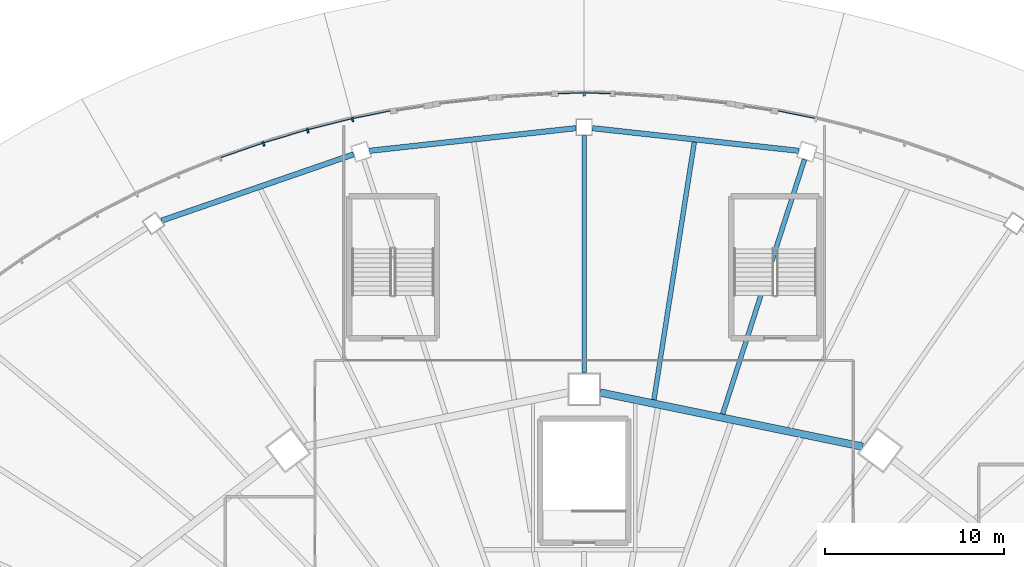
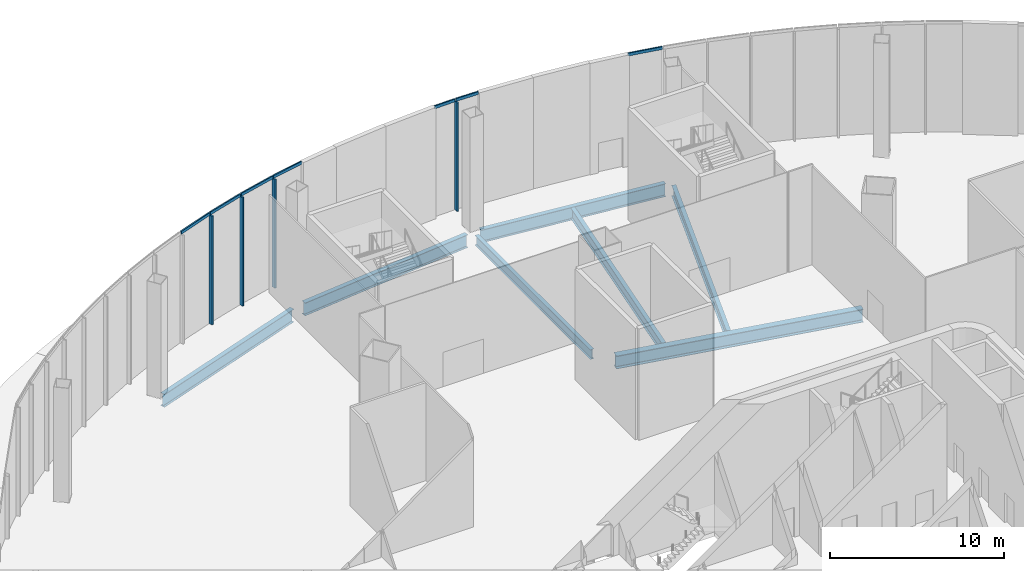
# One storey, part 9 of 36: 11 members, 7 beams, 5 elements without a shape of their own.
"""IFC4 building model written with IfcOpenShell, lengths in metres."""

from ifc_helpers import new_model, si_unit, direction, frame, origin, origin_2d, place, context, subcontext, project, spatial, rectangle, i_section, extrude, material, layer, layer_set, material_profile, profile_set, type_object, element, aggregate, save


model = new_model("IFC4")

# Units and contexts
model_context = context("Model", 3, precision=1e-05, world=origin(), true_north=direction((0.0, 1.0)))
body_context = subcontext(model_context, "Body", "Model", "MODEL_VIEW")
ifc_project = project(units=[si_unit("LENGTHUNIT", "METRE"), si_unit("AREAUNIT", "SQUARE_METRE"), si_unit("VOLUMEUNIT", "CUBIC_METRE"), si_unit("PLANEANGLEUNIT", "RADIAN"), si_unit("MASSUNIT", "GRAM", prefix="KILO")], contexts=[model_context])

# Site, building, storey
site_placement = place(None, origin())
site = spatial("IfcSite", under=ifc_project, at=site_placement, CompositionType="ELEMENT")
building_placement = place(site_placement, origin())
building = spatial("IfcBuilding", under=site, at=building_placement, Name="Sahrelin Media Tower", CompositionType="ELEMENT")
storey_placement = place(building_placement, origin())
storey = spatial("IfcBuildingStorey", under=building, at=storey_placement, Name="L00", CompositionType="ELEMENT", Elevation=0.0)

# Curtain wall, members
ifc_material_1 = material(Name="Champagne anodised aluminium 6063-T6", Category="aluminium")
ifc_layer_1 = layer(ifc_material_1, 0.14990234375)
ifc_layer_set_1 = layer_set([ifc_layer_1], Name="Concourse curtain wall")
curtain_wall_type_1 = type_object("IfcCurtainWallType", Name="Concourse curtain wall", PredefinedType="NOTDEFINED", material=ifc_layer_set_1)
curtain_wall_1_placement = place(storey_placement, frame((-12.94091796875, 40.56884765625, 0.0), z_axis=(0.0, 0.0, 1.0), x_axis=(1.0, 0.0, 0.0)))
curtain_wall_1 = element("IfcCurtainWall", 1, at=curtain_wall_1_placement, inside=storey, type_object=curtain_wall_type_1, Name="L00:CW:L00-P07", PredefinedType="NOTDEFINED")
ifc_material_profile_1 = material_profile(ifc_material_1, rectangle(XDim=0.10009765625, YDim=0.25, at=origin_2d()), Name="Mullion 100x250")
ifc_profile_set_1 = profile_set([ifc_material_profile_1], Name="Champagne anodised aluminium 6063-T6")
member_type_1 = type_object("IfcMemberType", Name="Mullion 100x250 CW4", PredefinedType="MULLION", material=ifc_profile_set_1)
member_1_placement = place(storey_placement, frame((-12.906005859375, 40.42822265625, 0.0), z_axis=(0.0, 0.0, 1.0), x_axis=(-0.970410464409, -0.241461240296, 0.0)))
member_1 = element("IfcMember", 2, at=member_1_placement, type_object=member_type_1, Name="L00:CWM1:L00-P07", PredefinedType="MULLION", context=body_context, shape_type="SweptSolid", body=[
    extrude(rectangle(XDim=0.10009765625, YDim=0.25, at=origin_2d()), origin(), (0.0, 0.0, 1.0), 7.60009765625),
])
member_2_placement = place(storey_placement, frame((-15.409423828125, 39.805419921875, 0.0), z_axis=(0.0, 0.0, 1.0), x_axis=(-0.958494922328, -0.285109599754, 0.0)))
member_2 = element("IfcMember", 3, at=member_2_placement, type_object=member_type_1, Name="L00:CWM2:L00-P07", PredefinedType="MULLION", context=body_context, shape_type="SweptSolid", body=[
    extrude(rectangle(XDim=0.10009765625, YDim=0.25, at=origin_2d()), origin(), (0.0, 0.0, 1.0), 7.60009765625),
])
member_3_placement = place(storey_placement, frame((-17.87060546875, 39.073486328125, 0.0), z_axis=(0.0, 0.0, 1.0), x_axis=(-0.944458420046, -0.328630937077, 0.0)))
member_3 = element("IfcMember", 4, at=member_3_placement, type_object=member_type_1, Name="L00:CWM3:L00-P07", PredefinedType="MULLION", context=body_context, shape_type="SweptSolid", body=[
    extrude(rectangle(XDim=0.10009765625, YDim=0.25, at=origin_2d()), origin(), (0.0, 0.0, 1.0), 7.60009765625),
])

# Curtain wall, member
ifc_layer_2 = layer(ifc_material_1, 0.14990234375)
ifc_layer_set_2 = layer_set([ifc_layer_2], Name="Entrance bay curtain wall")
curtain_wall_type_2 = type_object("IfcCurtainWallType", Name="Entrance bay curtain wall", PredefinedType="NOTDEFINED", material=ifc_layer_set_2)
curtain_wall_2_placement = place(storey_placement, frame((0.0, 42.0, 0.0), z_axis=(0.0, 0.0, 1.0), x_axis=(1.0, 0.0, 0.0)))
curtain_wall_2 = element("IfcCurtainWall", 5, at=curtain_wall_2_placement, inside=storey, type_object=curtain_wall_type_2, Name="L00:CW:L00-P06", PredefinedType="NOTDEFINED")
ifc_material_profile_2 = material_profile(ifc_material_1, rectangle(XDim=0.1201171875, YDim=0.25, at=origin_2d()), Name="Mullion 120x250")
ifc_profile_set_2 = profile_set([ifc_material_profile_2], Name="Champagne anodised aluminium 6063-T6")
member_type_2 = type_object("IfcMemberType", Name="Mullion 120x250 CW6", PredefinedType="MULLION", material=ifc_profile_set_2)
member_4_placement = place(storey_placement, frame((0.003173828125, 41.85498046875, 0.0), z_axis=(0.0, 0.0, 1.0), x_axis=(-0.999757820498, -0.022006825162, 0.0)))
member_4 = element("IfcMember", 6, at=member_4_placement, type_object=member_type_2, Name="L00:CWM1:L00-P06", PredefinedType="MULLION", context=body_context, shape_type="SweptSolid", body=[
    extrude(rectangle(XDim=0.1201171875, YDim=0.25, at=origin_2d()), origin(), (0.0, 0.0, 1.0), 7.60009765625),
])

# Beams
ifc_material_2 = material(Name="Steel S355", Category="steel")
ifc_material_profile_3 = material_profile(ifc_material_2, i_section(OverallWidth=0.30322265625, OverallDepth=0.903076171875, WebThickness=0.01513671875, FlangeThickness=0.020263671875, FilletRadius=0.01904296875, at=origin_2d()), Name="UB 914x305x201")
ifc_profile_set_3 = profile_set([ifc_material_profile_3], Name="Steel S355")
beam_type_1 = type_object("IfcBeamType", Name="Podium edge girder PE11", PredefinedType="BEAM", material=ifc_profile_set_3)
for number, where, z_axis, x_axis, name in (
    (7, (11.966796875, 38.68701171875, -0.75146484375), (-0.994034160473, 0.109069188193, 0.0), (-0.109069188193, -0.994034160473, 0.0), "Podium edge girder L00-06"),
    (8, (-0.449951171875, 39.95068359375, -0.75146484375), (-0.994034160473, -0.109069188193, 0.0), (0.109069188193, -0.994034160473, 0.0), "Podium edge girder L00-07"),
):
    element("IfcBeam", number, at=place(storey_placement, frame(where, z_axis=z_axis, x_axis=x_axis)), inside=storey, type_object=beam_type_1, Name=name, PredefinedType="BEAM", context=body_context, shape_type="SweptSolid", body=[
        extrude(i_section(OverallWidth=0.30322265625, OverallDepth=0.903076171875, WebThickness=0.01513671875, FlangeThickness=0.020263671875, FilletRadius=0.01904296875, at=origin_2d()), origin(), (0.0, 0.0, 1.0), 11.5859375),
    ])
beam_1_placement = place(storey_placement, frame((-12.848876953125, 38.489990234375, -0.75146484375), z_axis=(-0.94527240249, -0.32628221694, 0.0), x_axis=(0.32628221694, -0.94527240249, 0.0)))
element("IfcBeam", 9, at=beam_1_placement, inside=storey, type_object=beam_type_1, Name="Podium edge girder L00-08", PredefinedType="BEAM", context=body_context, shape_type="SweptSolid", body=[
    extrude(i_section(OverallWidth=0.30322265625, OverallDepth=0.903076171875, WebThickness=0.01513671875, FlangeThickness=0.020263671875, FilletRadius=0.01904296875, at=origin_2d()), origin(), (0.0, 0.0, 1.0), 11.329345703125),
])
ifc_material_profile_4 = material_profile(ifc_material_2, i_section(OverallWidth=0.41845703125, OverallDepth=0.911865234375, WebThickness=0.019287109375, FlangeThickness=0.031982421875, FilletRadius=0.024169921875, at=origin_2d()), Name="UB 914x419x343")
ifc_profile_set_4 = profile_set([ifc_material_profile_4], Name="Steel S355")
beam_type_2 = type_object("IfcBeamType", Name="Podium ring girder PG12", PredefinedType="BEAM", material=ifc_profile_set_4)
beam_2_placement = place(storey_placement, frame((15.525634765625, 22.197998046875, -0.755859375), z_axis=(-0.979388513106, 0.201985495508, 0.0), x_axis=(-0.201985495508, -0.979388513106, 0.0)))
element("IfcBeam", 10, at=beam_2_placement, inside=storey, type_object=beam_type_2, Name="Podium girder L00-03", PredefinedType="BEAM", context=body_context, shape_type="SweptSolid", body=[
    extrude(i_section(OverallWidth=0.41845703125, OverallDepth=0.911865234375, WebThickness=0.019287109375, FlangeThickness=0.031982421875, FilletRadius=0.024169921875, at=origin_2d()), origin(), (0.0, 0.0, 1.0), 14.93359375),
])
ifc_material_profile_5 = material_profile(ifc_material_2, i_section(OverallWidth=0.2529296875, OverallDepth=0.677978515625, WebThickness=0.01171875, FlangeThickness=0.01611328125, FilletRadius=0.01513671875, at=origin_2d()), Name="UB 686x254x125")
ifc_profile_set_5 = profile_set([ifc_material_profile_5], Name="Steel S355")
beam_type_3 = type_object("IfcBeamType", Name="Radial primary beam PB8", PredefinedType="BEAM", material=ifc_profile_set_5)
beam_3_placement = place(storey_placement, frame((0.0, 26.300048828125, -0.638916015625), z_axis=(0.0, 1.0, 0.0), x_axis=(-1.0, 0.0, 0.0)))
element("IfcBeam", 11, at=beam_3_placement, inside=storey, type_object=beam_type_3, Name="Radial beam L00-07", PredefinedType="BEAM", context=body_context, shape_type="SweptSolid", body=[
    extrude(i_section(OverallWidth=0.2529296875, OverallDepth=0.677978515625, WebThickness=0.01171875, FlangeThickness=0.01611328125, FilletRadius=0.01513671875, at=origin_2d()), origin(), (0.0, 0.0, 1.0), 13.25),
])
ifc_material_profile_6 = material_profile(ifc_material_2, i_section(OverallWidth=0.26513671875, OverallDepth=0.75390625, WebThickness=0.0126953125, FlangeThickness=0.017578125, FilletRadius=0.0166015625, at=origin_2d()), Name="UB 762x267x147")
ifc_profile_set_6 = profile_set([ifc_material_profile_6], Name="Steel S355")
beam_type_4 = type_object("IfcBeamType", Name="Radial primary beam PB9", PredefinedType="BEAM", material=ifc_profile_set_6)
beam_4_placement = place(storey_placement, frame((7.7236328125, 24.020751953125, -0.677001953125), z_axis=(0.306110461813, 0.951996000606, 0.0), x_axis=(-0.951996000606, 0.306110461813, 0.0)))
element("IfcBeam", 12, at=beam_4_placement, inside=storey, type_object=beam_type_4, Name="Radial beam L00-06", PredefinedType="BEAM", context=body_context, shape_type="SweptSolid", body=[
    extrude(i_section(OverallWidth=0.26513671875, OverallDepth=0.75390625, WebThickness=0.0126953125, FlangeThickness=0.017578125, FilletRadius=0.0166015625, at=origin_2d()), origin(), (0.0, 0.0, 1.0), 14.903076171875),
])
ifc_material_profile_7 = material_profile(ifc_material_2, i_section(OverallWidth=0.26513671875, OverallDepth=0.75390625, WebThickness=0.0126953125, FlangeThickness=0.017578125, FilletRadius=0.0166015625, at=origin_2d()), Name="UB 762x267x147")
ifc_profile_set_7 = profile_set([ifc_material_profile_7], Name="Steel S355")
beam_type_5 = type_object("IfcBeamType", Name="Radial secondary beam SB9", PredefinedType="BEAM", material=ifc_profile_set_7)
beam_5_placement = place(storey_placement, frame((3.890869140625, 24.811279296875, -0.677001953125), z_axis=(0.154919883605, 0.987927036609, 0.0), x_axis=(-0.987927036609, 0.154919883605, 0.0)))
element("IfcBeam", 13, at=beam_5_placement, inside=storey, type_object=beam_type_5, Name="Secondary beam L00-06", PredefinedType="BEAM", context=body_context, shape_type="SweptSolid", body=[
    extrude(i_section(OverallWidth=0.26513671875, OverallDepth=0.75390625, WebThickness=0.0126953125, FlangeThickness=0.017578125, FilletRadius=0.0166015625, at=origin_2d()), origin(), (0.0, 0.0, 1.0), 14.537841796875),
])

# Member
ifc_material_profile_8 = material_profile(ifc_material_1, rectangle(XDim=0.080078125, YDim=0.199951171875, at=origin_2d()), Name="Transom 80x200")
ifc_profile_set_8 = profile_set([ifc_material_profile_8], Name="Champagne anodised aluminium 6063-T6")
member_type_3 = type_object("IfcMemberType", Name="Transom 80x200 CW4", PredefinedType="USERDEFINED", material=ifc_profile_set_8)
member_5_placement = place(storey_placement, frame((-12.984619140625, 40.49609375, 7.699951171875), z_axis=(-0.970426059663, -0.24139855577, 0.0), x_axis=(0.24139855577, -0.970426059663, 0.0)))
member_5 = element("IfcMember", 14, at=member_5_placement, type_object=member_type_3, Name="L00:CWT1a:L00-P07", ObjectType="TRANSOM", PredefinedType="USERDEFINED", context=body_context, shape_type="SweptSolid", body=[
    extrude(rectangle(XDim=0.080078125, YDim=0.199951171875, at=origin_2d()), origin(), (0.0, 0.0, 1.0), 2.5263671875),
])

member_6_placement = place(storey_placement, frame((-15.4912109375, 39.869873046875, 7.699951171875), z_axis=(-0.958481146373, -0.285155908316, 0.0), x_axis=(0.285155908316, -0.958481146373, 0.0)))
member_6 = element("IfcMember", 15, at=member_6_placement, type_object=member_type_3, Name="L00:CWT2a:L00-P07", ObjectType="TRANSOM", PredefinedType="USERDEFINED", context=body_context, shape_type="SweptSolid", body=[
    extrude(rectangle(XDim=0.080078125, YDim=0.199951171875, at=origin_2d()), origin(), (0.0, 0.0, 1.0), 2.5146484375),
])

member_7_placement = place(storey_placement, frame((-17.955322265625, 39.134033203125, 7.699951171875), z_axis=(-0.944462547353, -0.328619075294, 0.0), x_axis=(0.328619075294, -0.944462547353, 0.0)))
member_7 = element("IfcMember", 16, at=member_7_placement, type_object=member_type_3, Name="L00:CWT3a:L00-P07", ObjectType="TRANSOM", PredefinedType="USERDEFINED", context=body_context, shape_type="SweptSolid", body=[
    extrude(rectangle(XDim=0.080078125, YDim=0.199951171875, at=origin_2d()), origin(), (0.0, 0.0, 1.0), 2.500732421875),
])

aggregate(curtain_wall_1, [member_1, member_5, member_2, member_6, member_3, member_7])

# Curtain wall, member
curtain_wall_3_placement = place(storey_placement, frame((12.94091796875, 40.56884765625, 0.0), z_axis=(0.0, 0.0, 1.0), x_axis=(1.0, 0.0, 0.0)))
curtain_wall_3 = element("IfcCurtainWall", 17, at=curtain_wall_3_placement, inside=storey, type_object=curtain_wall_type_2, Name="L00:CW:L00-P05", PredefinedType="NOTDEFINED")
ifc_material_profile_9 = material_profile(ifc_material_1, rectangle(XDim=0.080078125, YDim=0.199951171875, at=origin_2d()), Name="Transom 80x200")
ifc_profile_set_9 = profile_set([ifc_material_profile_9], Name="Champagne anodised aluminium 6063-T6")
member_type_4 = type_object("IfcMemberType", Name="Transom 80x200 CW6", PredefinedType="USERDEFINED", material=ifc_profile_set_9)
member_8_placement = place(storey_placement, frame((12.860595703125, 40.52392578125, 7.699951171875), z_axis=(-0.980272877206, 0.197648896313, 0.0), x_axis=(-0.197648896313, -0.980272877206, 0.0)))
member_8 = element("IfcMember", 18, at=member_8_placement, type_object=member_type_4, Name="L00:CWT1a:L00-P05", ObjectType="TRANSOM", PredefinedType="USERDEFINED", context=body_context, shape_type="SweptSolid", body=[
    extrude(rectangle(XDim=0.080078125, YDim=0.199951171875, at=origin_2d()), origin(), (0.0, 0.0, 1.0), 2.08251953125),
])
aggregate(curtain_wall_3, [member_8])

curtain_wall_4_placement = place(storey_placement, frame((1.450927734375, 41.968017578125, 0.0), z_axis=(0.0, 0.0, 1.0), x_axis=(1.0, 0.0, 0.0)))
curtain_wall_4 = element("IfcCurtainWall", 19, at=curtain_wall_4_placement, inside=storey, type_object=curtain_wall_type_2, Name="L00:CW2:L00-P05", PredefinedType="NOTDEFINED")
member_9_placement = place(storey_placement, frame((1.44970703125, 41.908203125, 7.699951171875), z_axis=(-0.999760839514, 0.021869242661, 0.0), x_axis=(-0.021869242661, -0.999760839514, 0.0)))
member_9 = element("IfcMember", 20, at=member_9_placement, type_object=member_type_4, Name="L00:CWT5a:L00-P05", ObjectType="TRANSOM", PredefinedType="USERDEFINED", context=body_context, shape_type="SweptSolid", body=[
    extrude(rectangle(XDim=0.080078125, YDim=0.199951171875, at=origin_2d()), origin(), (0.0, 0.0, 1.0), 1.451171875),
])
aggregate(curtain_wall_4, [member_9])

# Member
member_10_placement = place(storey_placement, frame((-0.068603515625, 41.9384765625, 7.699951171875), z_axis=(-0.999759848916, -0.021914481397, 0.0), x_axis=(0.021914481397, -0.999759848916, 0.0)))
member_10 = element("IfcMember", 21, at=member_10_placement, type_object=member_type_4, Name="L00:CWT1a:L00-P06", ObjectType="TRANSOM", PredefinedType="USERDEFINED", context=body_context, shape_type="SweptSolid", body=[
    extrude(rectangle(XDim=0.080078125, YDim=0.199951171875, at=origin_2d()), origin(), (0.0, 0.0, 1.0), 1.38134765625),
])

aggregate(curtain_wall_2, [member_4, member_10])

# Curtain wall, member
curtain_wall_5_placement = place(storey_placement, frame((-10.8310546875, 40.994384765625, 0.0), z_axis=(0.0, 0.0, 1.0), x_axis=(1.0, 0.0, 0.0)))
curtain_wall_5 = element("IfcCurtainWall", 22, at=curtain_wall_5_placement, inside=storey, type_object=curtain_wall_type_2, Name="L00:CW2:L00-P06", PredefinedType="NOTDEFINED")
member_11_placement = place(storey_placement, frame((-10.819091796875, 40.935546875, 7.699951171875), z_axis=(-0.98026533965, -0.19768627641, 0.0), x_axis=(0.19768627641, -0.98026533965, 0.0)))
member_11 = element("IfcMember", 23, at=member_11_placement, type_object=member_type_4, Name="L00:CWT5a:L00-P06", ObjectType="TRANSOM", PredefinedType="USERDEFINED", context=body_context, shape_type="SweptSolid", body=[
    extrude(rectangle(XDim=0.080078125, YDim=0.199951171875, at=origin_2d()), origin(), (0.0, 0.0, 1.0), 2.152587890625),
])
aggregate(curtain_wall_5, [member_11])

save(model, "model.ifc")
